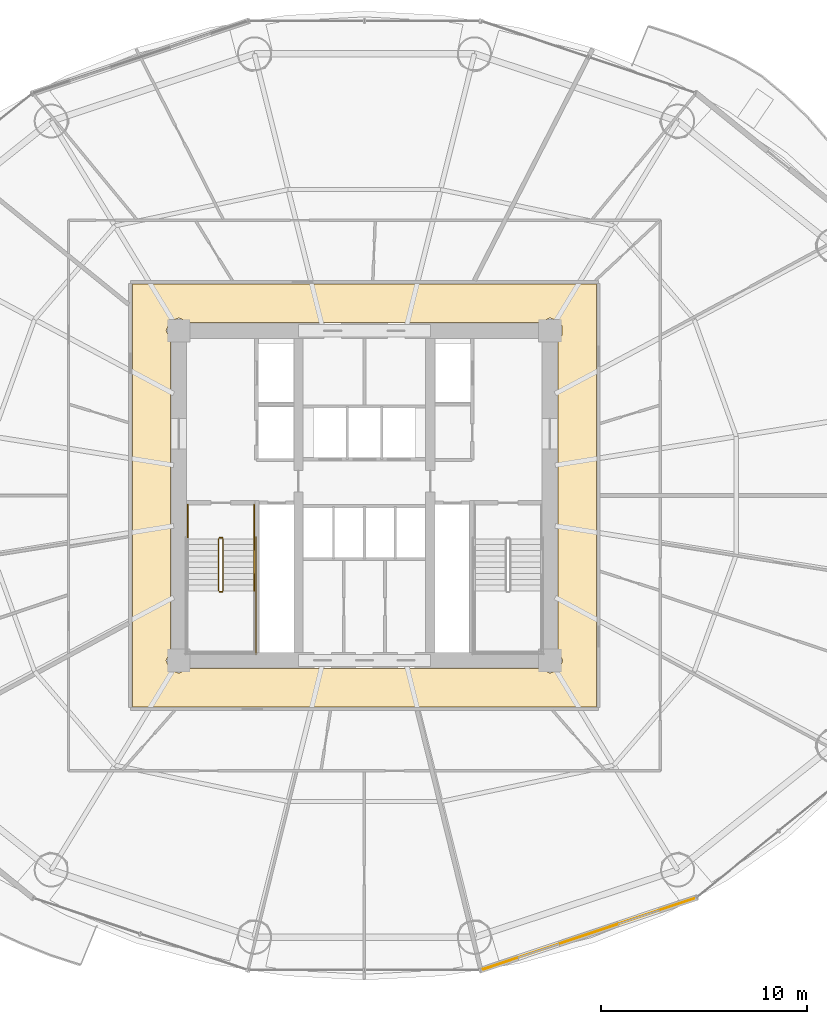
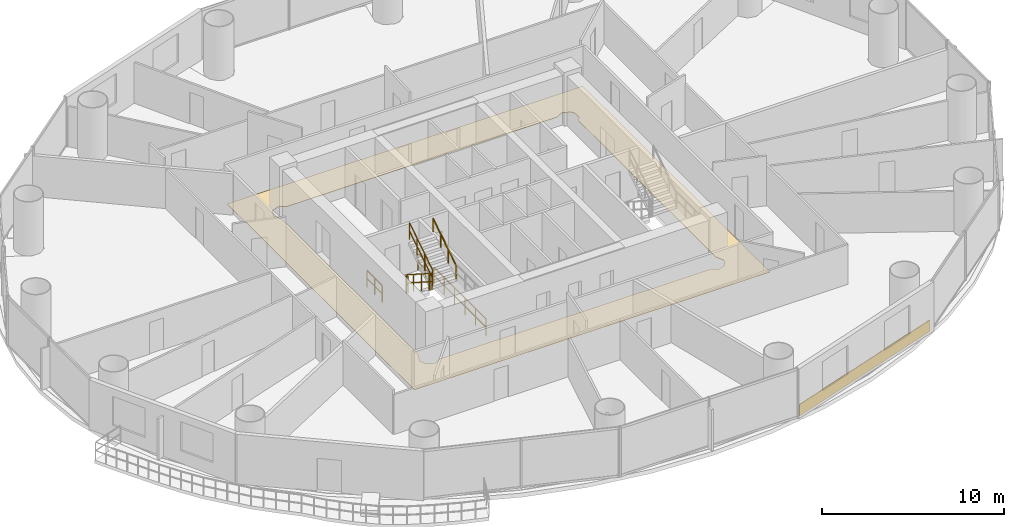
# One storey, part 27 of 29: 8 railings, 2 coverings.
"""IFC4 building model written with IfcOpenShell, lengths in metres."""

from ifc_helpers import new_model, si_unit, direction, frame, origin, origin_2d, place, context, subcontext, project, spatial, polyline, rectangle, outline, extrude, source, transform, mapped, material, layer, layer_set, type_object, element, save


model = new_model("IFC4")

# Units and contexts
model_context = context("Model", 3, precision=1e-05, world=origin(), true_north=direction((-0.2419218956, 0.970295726276)))
body_context = subcontext(model_context, "Body", "Model", "MODEL_VIEW")
ifc_project = project(units=[si_unit("LENGTHUNIT", "METRE"), si_unit("AREAUNIT", "SQUARE_METRE"), si_unit("VOLUMEUNIT", "CUBIC_METRE"), si_unit("PLANEANGLEUNIT", "RADIAN"), si_unit("MASSUNIT", "GRAM", prefix="KILO")], contexts=[model_context])

# Site, building, storey
site_placement = place(None, origin())
site = spatial("IfcSite", under=ifc_project, at=site_placement, CompositionType="ELEMENT")
building_placement = place(site_placement, origin())
building = spatial("IfcBuilding", under=site, at=building_placement, Name="Cobrevalo Terracotta Tower", CompositionType="ELEMENT")
storey_placement = place(building_placement, frame((0.0, 0.0, 67.199951171875)))
storey = spatial("IfcBuildingStorey", under=building, at=storey_placement, Name="L17", CompositionType="ELEMENT", Elevation=67.199951171875)

# Covering
ifc_material_1 = material(Name="Honed terracotta and granite tile", Category="masonry")
ifc_layer_1 = layer(ifc_material_1, 0.034912109375)
ifc_layer_set_1 = layer_set([ifc_layer_1], Name="Honed terracotta and granite tile")
covering_type_1 = type_object("IfcCoveringType", Name="Honed Terracotta & Granite Interior Flooring 35", PredefinedType="FLOORING", material=ifc_layer_set_1)
covering_1_placement = place(storey_placement, origin())
element("IfcCovering", 1, at=covering_1_placement, inside=storey, type_object=covering_type_1, Name="L17 Residential Floor Corridor floor finish", PredefinedType="FLOORING", context=body_context, shape_type="SweptSolid", body=[
    extrude(outline(polyline([(49.2548828125, 37.054931640625), (49.2548828125, 16.544921875), (26.7451171875, 16.544921875), (26.7451171875, 37.054931640625), (49.2548828125, 37.054931640625)]), holes=[polyline([(47.39501953125, 34.33203125), (47.5732421875, 34.5625), (47.5732421875, 35.037353515625), (47.438720703125, 35.23876953125), (47.0, 35.42041015625), (46.5322265625, 35.195068359375), (29.4677734375, 35.195068359375), (29.0, 35.42041015625), (28.561279296875, 35.23876953125), (28.379638671875, 34.800048828125), (28.60498046875, 34.33203125), (28.60498046875, 19.267822265625), (28.379638671875, 18.800048828125), (28.561279296875, 18.361328125), (29.0, 18.1796875), (29.4677734375, 18.405029296875), (46.5322265625, 18.405029296875), (47.0, 18.1796875), (47.438720703125, 18.361328125), (47.620361328125, 18.800048828125), (47.39501953125, 19.267822265625), (47.39501953125, 34.33203125)])]), origin(), (0.0, 0.0, 1.0), 0.030029296875),
])

# Railings
ifc_material_2 = material(Name="Brushed stainless steel", Category="steel")
railing_type_1 = type_object("IfcRailingType", Name="Stainless Steel Stair Handrail 900", PredefinedType="HANDRAIL", material=ifc_material_2)
railing_1_placement = place(storey_placement, frame((32.64501953125, 22.179931640625, 1.97998046875)))
element("IfcRailing", 2, at=railing_1_placement, inside=storey, type_object=railing_type_1, Name="L17 ST-1 stair handrail 2", PredefinedType="HANDRAIL", context=body_context, shape_type="SweptSolid", body=[
    extrude(rectangle(XDim=0.048095703125, YDim=0.048095703125, at=origin_2d()), frame((0.0, 0.0, 0.8759765625), z_axis=(0.0, 0.841162588446, 0.540782303519), x_axis=(-1.0, 0.0, 0.0)), (0.0, 0.0, 1.0), 2.995849609375),
    extrude(rectangle(XDim=0.0419921875, YDim=0.0419921875, at=origin_2d()), origin(), (0.0, 0.0, 1.0), 0.851806640625),
    extrude(rectangle(XDim=0.0419921875, YDim=0.0419921875, at=origin_2d()), frame((0.0, 0.840087890625, 0.5400390625)), (0.0, 0.0, 1.0), 0.851806640625),
    extrude(rectangle(XDim=0.0419921875, YDim=0.0419921875, at=origin_2d()), frame((0.0, 1.679931640625, 1.080078125)), (0.0, 0.0, 1.0), 0.851806640625),
    extrude(rectangle(XDim=0.0419921875, YDim=0.0419921875, at=origin_2d()), frame((0.0, 2.52001953125, 1.6201171875)), (0.0, 0.0, 1.0), 0.851806640625),
])
ifc_material_3 = material(Name="Painted galvanized steel", Category="steel")
railing_type_2 = type_object("IfcRailingType", Name="Stair Well Guard Balustrade 1150", PredefinedType="GUARDRAIL", material=ifc_material_3)
railing_2_placement = place(storey_placement, frame((30.925048828125, 24.699951171875, 0.179931640625)))
element("IfcRailing", 3, at=railing_2_placement, inside=storey, type_object=railing_type_2, Name="L17 ST-1 stair guard 1", PredefinedType="GUARDRAIL", context=body_context, shape_type="SweptSolid", body=[
    extrude(rectangle(XDim=0.048095703125, YDim=0.048095703125, at=origin_2d()), frame((0.0, 0.0, 1.1259765625), z_axis=(0.0, -0.841162588446, 0.540782303519), x_axis=(1.0, 0.0, 0.0)), (0.0, 0.0, 1.0), 2.995849609375),
    extrude(rectangle(XDim=0.048095703125, YDim=0.048095703125, at=origin_2d()), frame((0.0, 0.0, 0.574951171875), z_axis=(0.0, -0.841162588446, 0.540782303519), x_axis=(1.0, 0.0, 0.0)), (0.0, 0.0, 1.0), 2.995849609375),
    extrude(rectangle(XDim=0.0419921875, YDim=0.0419921875, at=origin_2d()), origin(), (0.0, 0.0, 1.0), 1.101806640625),
    extrude(rectangle(XDim=0.0419921875, YDim=0.0419921875, at=origin_2d()), frame((0.0, -0.840087890625, 0.5400390625)), (0.0, 0.0, 1.0), 1.101806640625),
    extrude(rectangle(XDim=0.0419921875, YDim=0.0419921875, at=origin_2d()), frame((0.0, -1.679931640625, 1.080078125)), (0.0, 0.0, 1.0), 1.101806640625),
    extrude(rectangle(XDim=0.0419921875, YDim=0.0419921875, at=origin_2d()), frame((0.0, -2.52001953125, 1.6201171875)), (0.0, 0.0, 1.0), 1.101806640625),
])
railing_3_placement = place(storey_placement, frame((30.97509765625, 22.1298828125, 1.800048828125)))
element("IfcRailing", 4, at=railing_3_placement, inside=storey, type_object=railing_type_2, Name="L17 ST-1 stair guard 2", PredefinedType="GUARDRAIL", context=body_context, shape_type="SweptSolid", body=[
    extrude(rectangle(XDim=0.048095703125, YDim=0.048095703125, at=origin_2d()), frame((0.0, 0.0, 1.1259765625), z_axis=(1.0, 0.0, 0.0), x_axis=(0.0, 1.0, 0.0)), (0.0, 0.0, 1.0), 0.119873046875),
    extrude(rectangle(XDim=0.048095703125, YDim=0.048095703125, at=origin_2d()), frame((0.0, 0.0, 0.574951171875), z_axis=(1.0, 0.0, 0.0), x_axis=(0.0, 1.0, 0.0)), (0.0, 0.0, 1.0), 0.119873046875),
    extrude(rectangle(XDim=0.0419921875, YDim=0.0419921875, at=origin_2d()), origin(), (0.0, 0.0, 1.0), 1.101806640625),
    extrude(rectangle(XDim=0.0419921875, YDim=0.0419921875, at=origin_2d()), frame((0.119873046875, 0.0, 0.0)), (0.0, 0.0, 1.0), 1.101806640625),
])
railing_4_placement = place(storey_placement, frame((31.14501953125, 22.179931640625, 1.97998046875)))
element("IfcRailing", 5, at=railing_4_placement, inside=storey, type_object=railing_type_2, Name="L17 ST-1 stair guard 6", PredefinedType="GUARDRAIL", context=body_context, shape_type="SweptSolid", body=[
    extrude(rectangle(XDim=0.048095703125, YDim=0.048095703125, at=origin_2d()), frame((0.0, 0.0, 1.1259765625), z_axis=(0.0, 0.841162588446, 0.540782303519), x_axis=(-1.0, 0.0, 0.0)), (0.0, 0.0, 1.0), 2.995849609375),
    extrude(rectangle(XDim=0.048095703125, YDim=0.048095703125, at=origin_2d()), frame((0.0, 0.0, 0.574951171875), z_axis=(0.0, 0.841162588446, 0.540782303519), x_axis=(-1.0, 0.0, 0.0)), (0.0, 0.0, 1.0), 2.995849609375),
    extrude(rectangle(XDim=0.0419921875, YDim=0.0419921875, at=origin_2d()), origin(), (0.0, 0.0, 1.0), 1.101806640625),
    extrude(rectangle(XDim=0.0419921875, YDim=0.0419921875, at=origin_2d()), frame((0.0, 0.840087890625, 0.5400390625)), (0.0, 0.0, 1.0), 1.101806640625),
    extrude(rectangle(XDim=0.0419921875, YDim=0.0419921875, at=origin_2d()), frame((0.0, 1.679931640625, 1.080078125)), (0.0, 0.0, 1.0), 1.101806640625),
    extrude(rectangle(XDim=0.0419921875, YDim=0.0419921875, at=origin_2d()), frame((0.0, 2.52001953125, 1.6201171875)), (0.0, 0.0, 1.0), 1.101806640625),
])
railing_5_placement = place(storey_placement, frame((30.97509765625, 24.75, 0.0)))
element("IfcRailing", 6, at=railing_5_placement, inside=storey, type_object=railing_type_2, Name="L17 ST-1 stair guard 7", PredefinedType="GUARDRAIL", context=body_context, shape_type="SweptSolid", body=[
    extrude(rectangle(XDim=0.048095703125, YDim=0.048095703125, at=origin_2d()), frame((0.0, 0.0, 1.1259765625), z_axis=(1.0, 0.0, 0.0), x_axis=(0.0, 1.0, 0.0)), (0.0, 0.0, 1.0), 0.119873046875),
    extrude(rectangle(XDim=0.048095703125, YDim=0.048095703125, at=origin_2d()), frame((0.0, 0.0, 0.574951171875), z_axis=(1.0, 0.0, 0.0), x_axis=(0.0, 1.0, 0.0)), (0.0, 0.0, 1.0), 0.119873046875),
    extrude(rectangle(XDim=0.0419921875, YDim=0.0419921875, at=origin_2d()), origin(), (0.0, 0.0, 1.0), 1.101806640625),
    extrude(rectangle(XDim=0.0419921875, YDim=0.0419921875, at=origin_2d()), frame((0.119873046875, 0.0, 0.0)), (0.0, 0.0, 1.0), 1.101806640625),
])
for number, where, name in (
    (7, (29.425048828125, 26.35009765625, 0.0), "L17 ST-1 stair guard 8"),
    (8, (32.64501953125, 26.35009765625, 0.0), "L17 ST-1 stair guard 9"),
):
    element("IfcRailing", number, at=place(storey_placement, frame(where)), inside=storey, type_object=railing_type_2, Name=name, PredefinedType="GUARDRAIL", context=body_context, shape_type="SweptSolid", body=[
        extrude(rectangle(XDim=0.048095703125, YDim=0.048095703125, at=origin_2d()), frame((0.0, 0.0, 1.1259765625), z_axis=(0.0, -1.0, 0.0), x_axis=(1.0, 0.0, 0.0)), (0.0, 0.0, 1.0), 1.650146484375),
        extrude(rectangle(XDim=0.048095703125, YDim=0.048095703125, at=origin_2d()), frame((0.0, 0.0, 0.574951171875), z_axis=(0.0, -1.0, 0.0), x_axis=(1.0, 0.0, 0.0)), (0.0, 0.0, 1.0), 1.650146484375),
        extrude(rectangle(XDim=0.0419921875, YDim=0.0419921875, at=origin_2d()), origin(), (0.0, 0.0, 1.0), 1.101806640625),
        extrude(rectangle(XDim=0.0419921875, YDim=0.0419921875, at=origin_2d()), frame((0.0, -0.8251953125, 0.0)), (0.0, 0.0, 1.0), 1.101806640625),
        extrude(rectangle(XDim=0.0419921875, YDim=0.0419921875, at=origin_2d()), frame((0.0, -1.650146484375, 0.0)), (0.0, 0.0, 1.0), 1.101806640625),
    ])
railing_6_placement = place(storey_placement, frame((32.7451171875, 24.800048828125, 0.0)))
element("IfcRailing", 9, at=railing_6_placement, inside=storey, type_object=railing_type_2, Name="L17 ST-1 stair guard 11", PredefinedType="GUARDRAIL", context=body_context, shape_type="SweptSolid", body=[
    extrude(rectangle(XDim=0.048095703125, YDim=0.048095703125, at=origin_2d()), frame((0.0, 0.0, 1.1259765625), z_axis=(0.0, -1.0, 0.0), x_axis=(1.0, 0.0, 0.0)), (0.0, 0.0, 1.0), 5.72509765625),
    extrude(rectangle(XDim=0.048095703125, YDim=0.048095703125, at=origin_2d()), frame((0.0, 0.0, 0.574951171875), z_axis=(0.0, -1.0, 0.0), x_axis=(1.0, 0.0, 0.0)), (0.0, 0.0, 1.0), 5.72509765625),
    extrude(rectangle(XDim=0.0419921875, YDim=0.0419921875, at=origin_2d()), origin(), (0.0, 0.0, 1.0), 1.101806640625),
    extrude(rectangle(XDim=0.0419921875, YDim=0.0419921875, at=origin_2d()), frame((0.0, -1.14501953125, 0.0)), (0.0, 0.0, 1.0), 1.101806640625),
    extrude(rectangle(XDim=0.0419921875, YDim=0.0419921875, at=origin_2d()), frame((0.0, -2.2900390625, 0.0)), (0.0, 0.0, 1.0), 1.101806640625),
    extrude(rectangle(XDim=0.0419921875, YDim=0.0419921875, at=origin_2d()), frame((0.0, -3.43505859375, 0.0)), (0.0, 0.0, 1.0), 1.101806640625),
    extrude(rectangle(XDim=0.0419921875, YDim=0.0419921875, at=origin_2d()), frame((0.0, -4.580078125, 0.0)), (0.0, 0.0, 1.0), 1.101806640625),
    extrude(rectangle(XDim=0.0419921875, YDim=0.0419921875, at=origin_2d()), frame((0.0, -5.72509765625, 0.0)), (0.0, 0.0, 1.0), 1.101806640625),
])

# Covering
ifc_material_4 = material(Name="Glazed terracotta facade cladding tile", Category="masonry")
ifc_layer_2 = layer(ifc_material_4, 0.044921875)
ifc_layer_set_2 = layer_set([ifc_layer_2], Name="Glazed terracotta facade cladding tile")
covering_type_2 = type_object("IfcCoveringType", Name="Architectural terracotta rainscreen spandrel cladding 45 mm", PredefinedType="CLADDING", material=ifc_layer_set_2)
shared_shape = source(origin(), body_context, "Body", "SweptSolid", [
    extrude(rectangle(XDim=10.8154296875, YDim=0.044921875, at=origin_2d()), origin(), (0.0, 0.0, 1.0), 0.760009765625),
])
covering_2_placement = place(storey_placement, frame((48.873291015625, 5.533203125, 0.0400390625), z_axis=(0.0, 0.0, 1.0), x_axis=(0.948044172593, 0.318138722592, 0.0)))
element("IfcCovering", 10, at=covering_2_placement, inside=storey, type_object=covering_type_2, Name="L17 terracotta spandrel cladding S13", PredefinedType="CLADDING", context=body_context, shape_type="MappedRepresentation", body=[
    mapped(shared_shape, transform((0.0, 0.0, 0.0), scale=1.0)),
])

save(model, "model.ifc")
